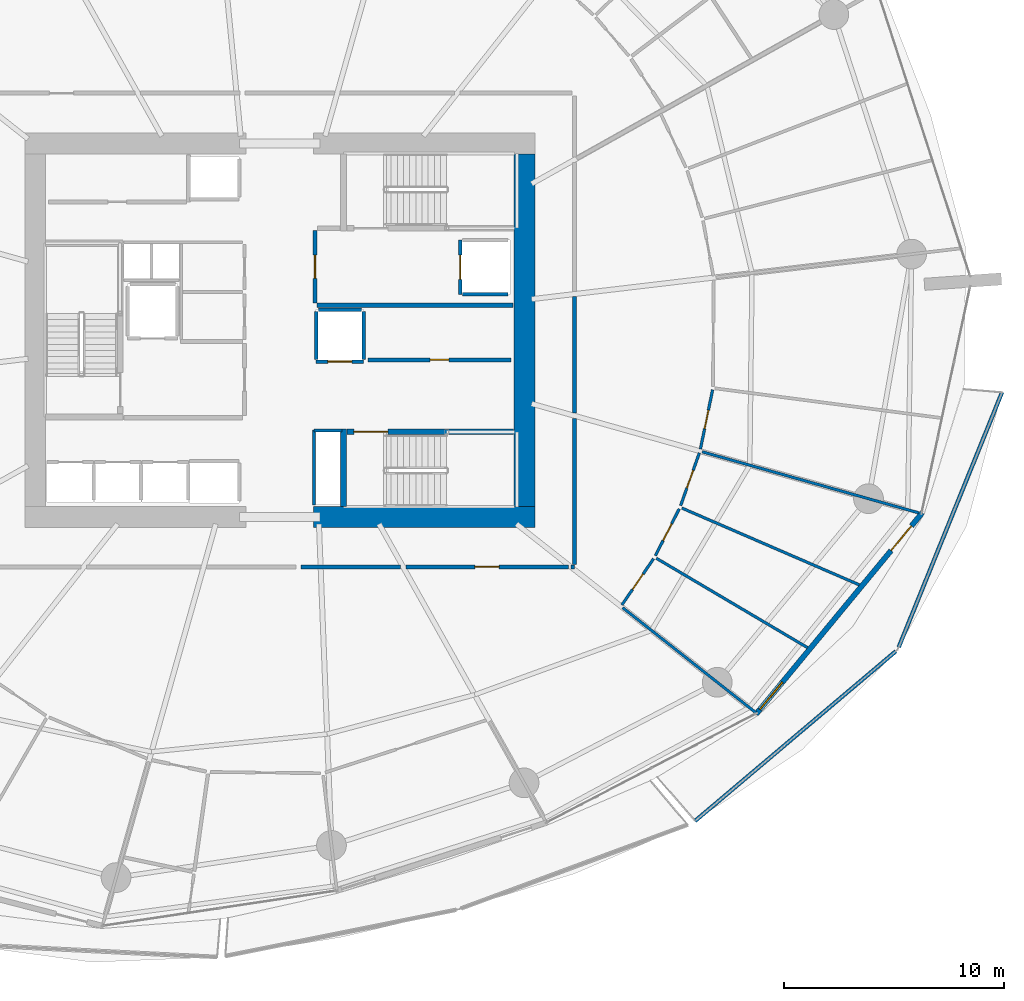
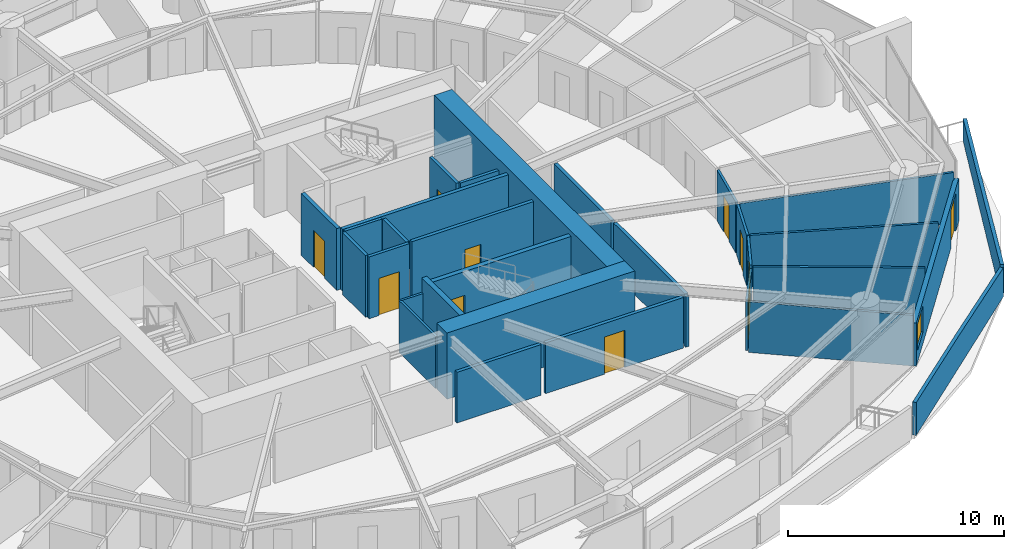
# One storey, part 21 of 31: 31 walls, 11 doors, 1 window, 12 openings.
"""IFC4 building model written with IfcOpenShell, lengths in metres."""

from ifc_helpers import new_model, si_unit, direction, frame, frame_2d, origin, place, context, subcontext, project, spatial, polyline, rectangle, outline, extrude, material, layer, layer_set, type_object, element, fill, save


model = new_model("IFC4")

# Units and contexts
model_context = context("Model", 3, precision=1e-05, world=origin(), true_north=direction((0.0, 1.0)))
body_context = subcontext(model_context, "Body", "Model", "MODEL_VIEW")
ifc_project = project(units=[si_unit("LENGTHUNIT", "METRE"), si_unit("AREAUNIT", "SQUARE_METRE"), si_unit("VOLUMEUNIT", "CUBIC_METRE"), si_unit("PLANEANGLEUNIT", "RADIAN"), si_unit("MASSUNIT", "GRAM", prefix="KILO")], contexts=[model_context])

# Site, building, storey
site_placement = place(None, origin())
site = spatial("IfcSite", under=ifc_project, at=site_placement, CompositionType="ELEMENT")
building_placement = place(site_placement, origin())
building = spatial("IfcBuilding", under=site, at=building_placement, Name="Kazma Halo Residences", CompositionType="ELEMENT")
storey_placement = place(building_placement, frame((0.0, 0.0, 37.64990234375)))
storey = spatial("IfcBuildingStorey", under=building, at=storey_placement, Name="L08", CompositionType="ELEMENT", Elevation=37.64990234375)

# Walls
ifc_material_1 = material(Name="White Concrete C50/60 Balustrade", Category="concrete")
ifc_layer_1 = layer(ifc_material_1, 0.179931640625)
ifc_layer_set_1 = layer_set([ifc_layer_1], Name="White Concrete C50/60 Balustrade")
wall_type_1 = type_object("IfcWallType", Name="WL-BAL-WAVE-180", PredefinedType="PARAPET", material=ifc_layer_set_1)
wall_1_placement = place(storey_placement, frame((67.266845703125, 19.718505859375, 0.0), z_axis=(0.0, 0.0, 1.0), x_axis=(0.763702211542, 0.645568688898, 0.0)))
element("IfcWall", 1, at=wall_1_placement, inside=storey, type_object=wall_type_1, Name="L08 white wave balustrade wall SE.1", PredefinedType="PARAPET", context=body_context, shape_type="SweptSolid", body=[
    extrude(outline(polyline([(0.0, 0.0), (11.9267578125, 0.0), (11.9267578125, 1.632080078125), (5.96337890625, 1.798095703125), (0.0, 1.860107421875), (0.0, 0.0)])), frame((0.0, 0.08984375, 0.0), z_axis=(0.0, -1.0, 0.0), x_axis=(1.0, 0.0, 0.0)), (0.0, 0.0, 1.0), 0.179931640625),
])
wall_2_placement = place(storey_placement, frame((76.511962890625, 27.606689453125, 0.0), z_axis=(0.0, 0.0, 1.0), x_axis=(0.375733690411, 0.926727680546, 0.0)))
element("IfcWall", 2, at=wall_2_placement, inside=storey, type_object=wall_type_1, Name="L08 white wave balustrade wall SE.2", PredefinedType="PARAPET", context=body_context, shape_type="SweptSolid", body=[
    extrude(outline(polyline([(0.0, 0.0), (12.4912109375, 0.0), (12.4912109375, 1.233154296875), (6.24560546875, 1.418212890625), (0.0, 1.632080078125), (0.0, 0.0)])), frame((0.0, 0.08984375, 0.0), z_axis=(0.0, -1.0, 0.0), x_axis=(1.0, 0.0, 0.0)), (0.0, 0.0, 1.0), 0.179931640625),
])
ifc_material_2 = material(Name="Concrete C80/95", Category="concrete")
ifc_layer_2 = layer(ifc_material_2, 0.949951171875)
ifc_layer_set_2 = layer_set([ifc_layer_2], Name="Concrete C80/95")
wall_type_2 = type_object("IfcWallType", Name="WL-CORE-950", PredefinedType="SHEAR", material=ifc_layer_set_2)
wall_3_placement = place(storey_placement, frame((49.949951171875, 33.52490234375, 0.0), z_axis=(0.0, 0.0, 1.0), x_axis=(1.0, 0.0, 0.0)))
element("IfcWall", 3, at=wall_3_placement, inside=storey, type_object=wall_type_2, Name="L08 central core shear wall SE", PredefinedType="SHEAR", context=body_context, shape_type="SweptSolid", body=[
    extrude(rectangle(XDim=10.050048828125, YDim=0.949951171875, at=frame_2d((5.02490234375, 0.0))), origin(), (0.0, 0.0, 1.0), 3.75),
])
wall_4_placement = place(storey_placement, frame((59.52490234375, 34.0, 0.0), z_axis=(0.0, 0.0, 1.0), x_axis=(0.0, 1.0, 0.0)))
element("IfcWall", 4, at=wall_4_placement, inside=storey, type_object=wall_type_2, Name="L08 central core shear wall E", PredefinedType="SHEAR", context=body_context, shape_type="SweptSolid", body=[
    extrude(rectangle(XDim=16.0, YDim=0.949951171875, at=frame_2d((8.0, 0.0))), origin(), (0.0, 0.0, 1.0), 3.75),
])
ifc_material_3 = material(Name="Concrete C60/75", Category="concrete")
ifc_layer_3 = layer(ifc_material_3, 0.280029296875)
ifc_layer_set_3 = layer_set([ifc_layer_3], Name="Concrete C60/75")
wall_type_3 = type_object("IfcWallType", Name="WL-CORE-ST-280", PredefinedType="SHEAR", material=ifc_layer_set_3)
wall_5_placement = place(storey_placement, frame((51.31005859375, 34.0, 0.0), z_axis=(0.0, 0.0, 1.0), x_axis=(0.0, 1.0, 0.0)))
element("IfcWall", 5, at=wall_5_placement, inside=storey, type_object=wall_type_3, Name="L08 stairwell bearing wall ST03-W", PredefinedType="SHEAR", context=body_context, shape_type="SweptSolid", body=[
    extrude(rectangle(XDim=3.5, YDim=0.280029296875, at=frame_2d((1.75, 0.0))), origin(), (0.0, 0.0, 1.0), 3.75),
])

# Wall, opening, door
ifc_material_4 = material(Name="Acoustic Twin-Stud Gypsum")
ifc_layer_4 = layer(ifc_material_4, 0.179931640625)
ifc_layer_set_4 = layer_set([ifc_layer_4], Name="Acoustic Twin-Stud Gypsum")
wall_type_4 = type_object("IfcWallType", Name="WL-DEM-180", PredefinedType="PARTITIONING", material=ifc_layer_set_4)
wall_6_placement = place(storey_placement, frame((54.140380859375, 31.25, 0.0), z_axis=(0.0, 0.0, 1.0), x_axis=(1.0, 0.0, 0.0)))
wall_6 = element("IfcWall", 6, at=wall_6_placement, inside=storey, type_object=wall_type_4, Name="L08 Apartment 2 entrance corridor wall", PredefinedType="PARTITIONING", context=body_context, shape_type="SweptSolid", body=[
    extrude(rectangle(XDim=7.3759765625, YDim=0.179931640625, at=frame_2d((3.68798828125, 0.0))), origin(), (0.0, 0.0, 1.0), 2.8671875),
])
opening_1_placement = place(wall_6_placement, frame((3.137939453125, 0.0, 0.0)))
opening_1 = element("IfcOpeningElement", 7, at=opening_1_placement, cuts=wall_6, Name="Opening DA-1100", PredefinedType="OPENING", context=body_context, shape_type="SweptSolid", body=[
    extrude(rectangle(XDim=1.10009765625, YDim=2.10009765625, at=frame_2d((0.550048828125, 1.050048828125))), frame((0.0, 0.099853515625, 0.0), z_axis=(0.0, -1.0, 0.0), x_axis=(1.0, 0.0, 0.0)), (0.0, 0.0, 1.0), 0.199951171875),
])
ifc_material_5 = material(Name="Acoustic Walnut Fire Leaf")
door_type_1 = type_object("IfcDoorType", Name="DR-FD60-1100", OperationType="NOTDEFINED", PredefinedType="DOOR", material=ifc_material_5)
door_1_placement = place(opening_1_placement, origin())
door_1 = element("IfcDoor", 8, at=door_1_placement, inside=storey, type_object=door_type_1, Name="L08 Apartment 2 entrance fire door", OperationType="SINGLE_SWING_LEFT", OverallHeight=2.10009765625, OverallWidth=1.10009765625, PredefinedType="DOOR", context=body_context, shape_type="SweptSolid", body=[
    extrude(rectangle(XDim=1.10009765625, YDim=2.10009765625, at=frame_2d((0.550048828125, 1.050048828125))), frame((0.0, 0.02490234375, 0.0), z_axis=(0.0, -1.0, 0.0), x_axis=(1.0, 0.0, 0.0)), (0.0, 0.0, 1.0), 0.050048828125),
])
fill(opening_1, door_1)

# Walls
wall_7_placement = place(storey_placement, frame((49.392333984375, 31.25, 0.0), z_axis=(0.0, 0.0, 1.0), x_axis=(1.0, 0.0, 0.0)))
element("IfcWall", 9, at=wall_7_placement, inside=storey, type_object=wall_type_4, Name="L08 Apartment 2 inner wall 11", PredefinedType="PARTITIONING", context=body_context, shape_type="SweptSolid", body=[
    extrude(rectangle(XDim=4.508056640625, YDim=0.179931640625, at=frame_2d((2.25390625, 0.0))), origin(), (0.0, 0.0, 1.0), 2.8671875),
])
wall_8_placement = place(storey_placement, frame((61.63623046875, 31.25, 0.0), z_axis=(0.0, 0.0, 1.0), x_axis=(1.0, 0.0, 0.0)))
element("IfcWall", 10, at=wall_8_placement, inside=storey, type_object=wall_type_4, Name="L08 Apartment 2 inner wall 13", PredefinedType="PARTITIONING", context=body_context, shape_type="SweptSolid", body=[
    extrude(rectangle(XDim=0.163818359375, YDim=0.179931640625, at=frame_2d((0.08203125, 0.0))), origin(), (0.0, 0.0, 1.0), 2.8671875),
])
wall_9_placement = place(storey_placement, frame((61.800048828125, 31.3701171875, 0.0), z_axis=(0.0, 0.0, 1.0), x_axis=(0.0, 1.0, 0.0)))
element("IfcWall", 11, at=wall_9_placement, inside=storey, type_object=wall_type_4, Name="L08 Apartment 2 inner wall 13", PredefinedType="PARTITIONING", context=body_context, shape_type="SweptSolid", body=[
    extrude(rectangle(XDim=6.617919921875, YDim=0.179931640625, at=frame_2d((3.30908203125, 0.0))), origin(), (0.0, 0.0, 1.0), 2.8671875),
])
wall_10_placement = place(storey_placement, frame((61.800048828125, 38.22802734375, 0.0), z_axis=(0.0, 0.0, 1.0), x_axis=(0.0, 1.0, 0.0)))
element("IfcWall", 12, at=wall_10_placement, inside=storey, type_object=wall_type_4, Name="L08 Apartment 2 inner wall 14", PredefinedType="PARTITIONING", context=body_context, shape_type="SweptSolid", body=[
    extrude(rectangle(XDim=5.28515625, YDim=0.179931640625, at=frame_2d((2.642578125, 0.0))), origin(), (0.0, 0.0, 1.0), 2.8671875),
])

# Wall, openings, door, window
ifc_material_6 = material(Name="Insulated Pale-Metal Composite Wall")
ifc_layer_5 = layer(ifc_material_6, 0.239990234375)
ifc_layer_set_5 = layer_set([ifc_layer_5], Name="Insulated Pale-Metal Composite Wall")
wall_type_5 = type_object("IfcWallType", Name="WL-EXT-HOST-240", PredefinedType="SOLIDWALL", material=ifc_layer_set_5)
wall_11_placement = place(storey_placement, frame((70.033203125, 24.566650390625, 0.0), z_axis=(0.0, 0.0, 1.0), x_axis=(0.636674332663, 0.771132799281, 0.0)))
wall_11 = element("IfcWall", 13, at=wall_11_placement, inside=storey, type_object=wall_type_5, Name="L08 exterior terrace-access wall B14", PredefinedType="SOLIDWALL", context=body_context, shape_type="SweptSolid", body=[
    extrude(rectangle(XDim=11.851318359375, YDim=0.239990234375, at=frame_2d((5.92578125, 0.0))), origin(), (0.0, 0.0, 1.0), 2.4501953125),
])
opening_2_placement = place(wall_11_placement, frame((9.631103515625, 0.0, 0.0)))
opening_2 = element("IfcOpeningElement", 14, at=opening_2_placement, cuts=wall_11, Name="Opening DTR-1600", PredefinedType="OPENING", context=body_context, shape_type="SweptSolid", body=[
    extrude(rectangle(XDim=1.449951171875, YDim=2.14990234375, at=frame_2d((0.72509765625, 1.074951171875))), frame((0.0, 0.1298828125, 0.0), z_axis=(0.0, -1.0, 0.0), x_axis=(1.0, 0.0, 0.0)), (0.0, 0.0, 1.0), 0.260009765625),
])
opening_3_placement = place(wall_11_placement, frame((0.280029296875, 0.0, 0.64990234375)))
opening_3 = element("IfcOpeningElement", 15, at=opening_3_placement, cuts=wall_11, Name="Opening W-1800", PredefinedType="OPENING", context=body_context, shape_type="SweptSolid", body=[
    extrude(rectangle(XDim=1.60009765625, YDim=1.5, at=frame_2d((0.800048828125, 0.75))), frame((0.0, 0.1298828125, 0.0), z_axis=(0.0, -1.0, 0.0), x_axis=(1.0, 0.0, 0.0)), (0.0, 0.0, 1.0), 0.260009765625),
])
ifc_material_7 = material(Name="Aluminium AW-6063 T6 Double-Glazed Terrace Door", Category="aluminium")
door_type_2 = type_object("IfcDoorType", Name="DR-EXT-TERR-1600", OperationType="NOTDEFINED", PredefinedType="DOOR", material=ifc_material_7)
door_2_placement = place(opening_2_placement, origin())
door_2 = element("IfcDoor", 16, at=door_2_placement, inside=storey, type_object=door_type_2, Name="L08 B14 balcony terrace door", OperationType="DOUBLE_DOOR_SLIDING", OverallHeight=2.14990234375, OverallWidth=1.449951171875, PredefinedType="DOOR", context=body_context, shape_type="SweptSolid", body=[
    extrude(rectangle(XDim=1.449951171875, YDim=2.14990234375, at=frame_2d((0.72509765625, 1.074951171875))), frame((0.0, 0.02490234375, 0.0), z_axis=(0.0, -1.0, 0.0), x_axis=(1.0, 0.0, 0.0)), (0.0, 0.0, 1.0), 0.050048828125),
])
fill(opening_2, door_2)
ifc_material_8 = material(Name="Clear Triple-Silver Low-E Glass in Aluminium AW-6063 T6 Frame", Category="aluminium")
window_type = type_object("IfcWindowType", Name="WIN-RES-1800", PartitioningType="DOUBLE_PANEL_VERTICAL", PredefinedType="WINDOW", material=ifc_material_8)
window_placement = place(opening_3_placement, origin())
window = element("IfcWindow", 17, at=window_placement, inside=storey, type_object=window_type, Name="L08 B14 apartment window", OverallHeight=1.5, OverallWidth=1.60009765625, PartitioningType="SINGLE_PANEL", PredefinedType="WINDOW", context=body_context, shape_type="SweptSolid", body=[
    extrude(rectangle(XDim=1.60009765625, YDim=1.5, at=frame_2d((0.800048828125, 0.75))), frame((0.0, 0.030029296875, 0.0), z_axis=(0.0, -1.0, 0.0), x_axis=(1.0, 0.0, 0.0)), (0.0, 0.0, 1.0), 0.06005859375),
])
fill(opening_3, window)

# Wall, opening, door
ifc_material_9 = material(Name="Fire-Rated Blockwork Masonry", Category="masonry")
ifc_layer_6 = layer(ifc_material_9, 0.199951171875)
ifc_layer_set_6 = layer_set([ifc_layer_6], Name="Fire-Rated Blockwork Masonry")
wall_type_6 = type_object("IfcWallType", Name="WL-FLB-200", PredefinedType="PARTITIONING", material=ifc_layer_set_6)
wall_12_placement = place(storey_placement, frame((56.6201171875, 46.080078125, 0.0), z_axis=(0.0, 0.0, 1.0), x_axis=(0.0, -1.0, 0.0)))
wall_12 = element("IfcWall", 18, at=wall_12_placement, inside=storey, type_object=wall_type_6, Name="L08 lift shaft FL-02 front wall", PredefinedType="PARTITIONING", context=body_context, shape_type="SweptSolid", body=[
    extrude(rectangle(XDim=2.4599609375, YDim=0.159912109375, at=frame_2d((1.22998046875, 0.0))), origin(), (0.0, 0.0, 1.0), 3.5),
])
opening_4_placement = place(wall_12_placement, frame((0.679931640625, 0.0, 0.0)))
opening_4 = element("IfcOpeningElement", 19, at=opening_4_placement, cuts=wall_12, Name="Opening LD-FL-02", PredefinedType="OPENING", context=body_context, shape_type="SweptSolid", body=[
    extrude(rectangle(XDim=1.10009765625, YDim=2.10009765625, at=frame_2d((0.550048828125, 1.050048828125))), frame((0.0, 0.08984375, 0.0), z_axis=(0.0, -1.0, 0.0), x_axis=(1.0, 0.0, 0.0)), (0.0, 0.0, 1.0), 0.179931640625),
])
ifc_material_10 = material(Name="Stainless Steel Fire-Rated", Category="steel")
door_type_3 = type_object("IfcDoorType", Name="DR-LIFT-SLD-1100", OperationType="DOUBLE_DOOR_SLIDING", PredefinedType="DOOR", material=ifc_material_10)
door_3_placement = place(opening_4_placement, origin())
door_3 = element("IfcDoor", 20, at=door_3_placement, inside=storey, type_object=door_type_3, Name="L08 lift FL-02 sliding landing door", OperationType="DOUBLE_DOOR_SLIDING", OverallHeight=2.10009765625, OverallWidth=1.10009765625, PredefinedType="DOOR", context=body_context, shape_type="SweptSolid", body=[
    extrude(rectangle(XDim=1.10009765625, YDim=2.10009765625, at=frame_2d((0.550048828125, 1.050048828125))), frame((0.0, 0.02490234375, 0.0), z_axis=(0.0, -1.0, 0.0), x_axis=(1.0, 0.0, 0.0)), (0.0, 0.0, 1.0), 0.050048828125),
])
fill(opening_4, door_3)

# Wall
wall_13_placement = place(storey_placement, frame((56.719970703125, 43.6201171875, 0.0), z_axis=(0.0, 0.0, 1.0), x_axis=(1.0, 0.0, 0.0)))
element("IfcWall", 21, at=wall_13_placement, inside=storey, type_object=wall_type_6, Name="L08 lift shaft FL-02 side wall S", PredefinedType="PARTITIONING", context=body_context, shape_type="SweptSolid", body=[
    extrude(rectangle(XDim=2.06005859375, YDim=0.159912109375, at=frame_2d((1.030029296875, 0.0))), origin(), (0.0, 0.0, 1.0), 3.5),
])

# Wall, opening, door
wall_14_placement = place(storey_placement, frame((52.22998046875, 40.570068359375, 0.0), z_axis=(0.0, 0.0, 1.0), x_axis=(-1.0, 0.0, 0.0)))
wall_14 = element("IfcWall", 22, at=wall_14_placement, inside=storey, type_object=wall_type_6, Name="L08 lift shaft SV-01 front wall", PredefinedType="PARTITIONING", context=body_context, shape_type="SweptSolid", body=[
    extrude(rectangle(XDim=2.159912109375, YDim=0.159912109375, at=frame_2d((1.080078125, 0.0))), origin(), (0.0, 0.0, 1.0), 3.5),
])
opening_5_placement = place(wall_14_placement, frame((0.530029296875, 0.0, 0.0)))
opening_5 = element("IfcOpeningElement", 23, at=opening_5_placement, cuts=wall_14, Name="Opening LD-SV-01", PredefinedType="OPENING", context=body_context, shape_type="SweptSolid", body=[
    extrude(rectangle(XDim=1.10009765625, YDim=2.10009765625, at=frame_2d((0.550048828125, 1.050048828125))), frame((0.0, 0.08984375, 0.0), z_axis=(0.0, -1.0, 0.0), x_axis=(1.0, 0.0, 0.0)), (0.0, 0.0, 1.0), 0.179931640625),
])
door_4_placement = place(opening_5_placement, origin())
door_4 = element("IfcDoor", 24, at=door_4_placement, inside=storey, type_object=door_type_3, Name="L08 lift SV-01 sliding landing door", OperationType="DOUBLE_DOOR_SLIDING", OverallHeight=2.10009765625, OverallWidth=1.10009765625, PredefinedType="DOOR", context=body_context, shape_type="SweptSolid", body=[
    extrude(rectangle(XDim=1.10009765625, YDim=2.10009765625, at=frame_2d((0.550048828125, 1.050048828125))), frame((0.0, 0.02490234375, 0.0), z_axis=(0.0, -1.0, 0.0), x_axis=(1.0, 0.0, 0.0)), (0.0, 0.0, 1.0), 0.050048828125),
])
fill(opening_5, door_4)

# Walls
for number, where, z_axis, x_axis, name in (
    (25, (52.22998046875, 40.669921875, 0.0), (0.0, 0.0, 1.0), (0.0, 1.0, 0.0), "L08 lift shaft SV-01 side wall E"),
    (26, (50.070068359375, 40.669921875, 0.0), (0.0, 0.0, 1.0), (0.0, 1.0, 0.0), "L08 lift shaft SV-01 side wall W"),
):
    element("IfcWall", number, at=place(storey_placement, frame(where, z_axis=z_axis, x_axis=x_axis)), inside=storey, type_object=wall_type_6, Name=name, PredefinedType="PARTITIONING", context=body_context, shape_type="SweptSolid", body=[
        extrude(rectangle(XDim=2.16015625, YDim=0.159912109375, at=frame_2d((1.080078125, 0.0))), origin(), (0.0, 0.0, 1.0), 3.5),
    ])
wall_15_placement = place(storey_placement, frame((50.169921875, 42.929931640625, 0.0), z_axis=(0.0, 0.0, 1.0), x_axis=(1.0, 0.0, 0.0)))
element("IfcWall", 27, at=wall_15_placement, inside=storey, type_object=wall_type_6, Name="L08 lift shaft SV-01 side wall N", PredefinedType="PARTITIONING", context=body_context, shape_type="SweptSolid", body=[
    extrude(rectangle(XDim=1.9599609375, YDim=0.159912109375, at=frame_2d((0.97998046875, 0.0))), origin(), (0.0, 0.0, 1.0), 3.5),
])

# Wall, opening, door
wall_16_placement = place(storey_placement, frame((52.419921875, 40.64990234375, 0.0), z_axis=(0.0, 0.0, 1.0), x_axis=(1.0, 0.0, 0.0)))
wall_16 = element("IfcWall", 28, at=wall_16_placement, inside=storey, type_object=wall_type_6, Name="L08 core east reserve wall", PredefinedType="PARTITIONING", context=body_context, shape_type="SweptSolid", body=[
    extrude(rectangle(XDim=6.5, YDim=0.179931640625, at=frame_2d((3.25, 0.0))), origin(), (0.0, 0.0, 1.0), 3.5),
])
opening_6_placement = place(wall_16_placement, frame((2.824951171875, 0.0, 0.0)))
opening_6 = element("IfcOpeningElement", 29, at=opening_6_placement, cuts=wall_16, Name="Opening DS-850", PredefinedType="OPENING", context=body_context, shape_type="SweptSolid", body=[
    extrude(rectangle(XDim=0.85009765625, YDim=2.06005859375, at=frame_2d((0.425048828125, 1.030029296875))), frame((0.0, 0.099853515625, 0.0), z_axis=(0.0, -1.0, 0.0), x_axis=(1.0, 0.0, 0.0)), (0.0, 0.0, 1.0), 0.199951171875),
])
ifc_material_11 = material(Name="Painted Steel Access Leaf", Category="steel")
door_type_4 = type_object("IfcDoorType", Name="DR-SVC-850", OperationType="NOTDEFINED", PredefinedType="DOOR", material=ifc_material_11)
door_5_placement = place(opening_6_placement, origin())
door_5 = element("IfcDoor", 30, at=door_5_placement, inside=storey, type_object=door_type_4, Name="L08 core east reserve door", OperationType="SINGLE_SWING_LEFT", OverallHeight=2.06005859375, OverallWidth=0.85009765625, PredefinedType="DOOR", context=body_context, shape_type="SweptSolid", body=[
    extrude(rectangle(XDim=0.85009765625, YDim=2.06005859375, at=frame_2d((0.425048828125, 1.030029296875))), frame((0.0, 0.02490234375, 0.0), z_axis=(0.0, -1.0, 0.0), x_axis=(1.0, 0.0, 0.0)), (0.0, 0.0, 1.0), 0.050048828125),
])
fill(opening_6, door_5)

# Wall
wall_17_placement = place(storey_placement, frame((50.1201171875, 43.1201171875, 0.0), z_axis=(0.0, 0.0, 1.0), x_axis=(1.0, 0.0, 0.0)))
element("IfcWall", 31, at=wall_17_placement, inside=storey, type_object=wall_type_6, Name="L08 east firefighting lobby south smoke wall", PredefinedType="PARTITIONING", context=body_context, shape_type="SweptSolid", body=[
    extrude(rectangle(XDim=8.8798828125, YDim=0.199951171875, at=frame_2d((4.43994140625, 0.0))), origin(), (0.0, 0.0, 1.0), 3.5),
])

# Wall, opening, door
wall_18_placement = place(storey_placement, frame((50.02001953125, 43.219970703125, 0.0), z_axis=(0.0, 0.0, 1.0), x_axis=(0.0, 1.0, 0.0)))
wall_18 = element("IfcWall", 32, at=wall_18_placement, inside=storey, type_object=wall_type_6, Name="L08 east firefighting lobby smoke wall", PredefinedType="PARTITIONING", context=body_context, shape_type="SweptSolid", body=[
    extrude(rectangle(XDim=3.300048828125, YDim=0.199951171875, at=frame_2d((1.64990234375, 0.0))), origin(), (0.0, 0.0, 1.0), 3.5),
])
opening_7_placement = place(wall_18_placement, frame((1.125, 0.0, 0.0)))
opening_7 = element("IfcOpeningElement", 33, at=opening_7_placement, cuts=wall_18, Name="Opening D-FLE", PredefinedType="OPENING", context=body_context, shape_type="SweptSolid", body=[
    extrude(rectangle(XDim=1.050048828125, YDim=2.10009765625, at=frame_2d((0.52490234375, 1.050048828125))), frame((0.0, 0.10986328125, 0.0), z_axis=(0.0, -1.0, 0.0), x_axis=(1.0, 0.0, 0.0)), (0.0, 0.0, 1.0), 0.219970703125),
])
ifc_material_12 = material(Name="Fire-Rated Steel Leaf", Category="steel")
door_type_5 = type_object("IfcDoorType", Name="DR-FD90-1050", OperationType="NOTDEFINED", PredefinedType="DOOR", material=ifc_material_12)
door_6_placement = place(opening_7_placement, origin())
door_6 = element("IfcDoor", 34, at=door_6_placement, inside=storey, type_object=door_type_5, Name="L08 east firefighting lobby smoke door", OperationType="SINGLE_SWING_RIGHT", OverallHeight=2.10009765625, OverallWidth=1.050048828125, PredefinedType="DOOR", context=body_context, shape_type="SweptSolid", body=[
    extrude(rectangle(XDim=1.050048828125, YDim=2.10009765625, at=frame_2d((0.52490234375, 1.050048828125))), frame((0.0, 0.02490234375, 0.0), z_axis=(0.0, -1.0, 0.0), x_axis=(1.0, 0.0, 0.0)), (0.0, 0.0, 1.0), 0.050048828125),
])
fill(opening_7, door_6)

# Walls
ifc_material_13 = material(Name="Gypsum Plasterboard Partition")
ifc_layer_7 = layer(ifc_material_13, 0.125)
ifc_layer_set_7 = layer_set([ifc_layer_7], Name="Gypsum Plasterboard Partition")
wall_type_7 = type_object("IfcWallType", Name="WL-PART-125", PredefinedType="PARTITIONING", material=ifc_layer_set_7)
wall_19_placement = place(storey_placement, frame((49.97998046875, 34.06005859375, 0.0), z_axis=(0.0, 0.0, 1.0), x_axis=(0.0, 1.0, 0.0)))
element("IfcWall", 35, at=wall_19_placement, inside=storey, type_object=wall_type_7, Name="L08 standpipe riser wall", PredefinedType="PARTITIONING", context=body_context, shape_type="SweptSolid", body=[
    extrude(rectangle(XDim=3.39990234375, YDim=0.125, at=frame_2d((1.699951171875, 0.0))), origin(), (0.0, 0.0, 1.0), 2.940185546875),
])
wall_20_placement = place(storey_placement, frame((49.97998046875, 37.43994140625, 0.0), z_axis=(0.0, 0.0, 1.0), x_axis=(1.0, 0.0, 0.0)))
element("IfcWall", 36, at=wall_20_placement, inside=storey, type_object=wall_type_7, Name="L08 standpipe riser north wall", PredefinedType="PARTITIONING", context=body_context, shape_type="SweptSolid", body=[
    extrude(rectangle(XDim=1.260009765625, YDim=0.125, at=frame_2d((0.6298828125, 0.0))), origin(), (0.0, 0.0, 1.0), 2.940185546875),
])
wall_21_placement = place(storey_placement, frame((63.9833984375, 29.399658203125, 0.0), z_axis=(0.0, 0.0, 1.0), x_axis=(0.785322984339, -0.619086270457, 0.0)))
element("IfcWall", 37, at=wall_21_placement, inside=storey, type_object=wall_type_7, Name="L08 Apartment 2 radial partition 13", PredefinedType="PARTITIONING", context=body_context, shape_type="SweptSolid", body=[
    extrude(rectangle(XDim=7.71923828125, YDim=0.125, at=frame_2d((3.859619140625, 0.0))), origin(), (0.0, 0.0, 1.0), 2.8671875),
])
wall_22_placement = place(storey_placement, frame((65.510009765625, 31.64453125, 0.0), z_axis=(0.0, 0.0, 1.0), x_axis=(0.86074163886, -0.509042072065, 0.0)))
element("IfcWall", 38, at=wall_22_placement, inside=storey, type_object=wall_type_7, Name="L08 Apartment 2 bay wall 1 13", PredefinedType="PARTITIONING", context=body_context, shape_type="SweptSolid", body=[
    extrude(rectangle(XDim=7.9677734375, YDim=0.125, at=frame_2d((3.98388671875, 0.0))), origin(), (0.0, 0.0, 1.0), 2.940185546875),
])
wall_23_placement = place(storey_placement, frame((66.669921875, 33.9208984375, 0.0), z_axis=(0.0, 0.0, 1.0), x_axis=(0.917747697885, -0.397163899451, 0.0)))
element("IfcWall", 39, at=wall_23_placement, inside=storey, type_object=wall_type_7, Name="L08 Apartment 2 bay wall 2 13", PredefinedType="PARTITIONING", context=body_context, shape_type="SweptSolid", body=[
    extrude(rectangle(XDim=8.77490234375, YDim=0.125, at=frame_2d((4.387451171875, 0.0))), origin(), (0.0, 0.0, 1.0), 2.940185546875),
])

# Wall, opening, door
wall_24_placement = place(storey_placement, frame((63.9501953125, 29.527587890625, 0.0), z_axis=(0.0, 0.0, 1.0), x_axis=(0.565358509176, 0.824845292223, 0.0)))
wall_24 = element("IfcWall", 40, at=wall_24_placement, inside=storey, type_object=wall_type_7, Name="L08 Apartment 2 Corner Bedroom hall wall", PredefinedType="PARTITIONING", context=body_context, shape_type="SweptSolid", body=[
    extrude(rectangle(XDim=2.542236328125, YDim=0.125, at=frame_2d((1.27099609375, 0.0))), origin(), (0.0, 0.0, 1.0), 2.8671875),
])
opening_8_placement = place(wall_24_placement, frame((0.84619140625, 0.0, 0.0)))
opening_8 = element("IfcOpeningElement", 41, at=opening_8_placement, cuts=wall_24, Name="Opening DB-900", PredefinedType="OPENING", context=body_context, shape_type="SweptSolid", body=[
    extrude(rectangle(XDim=0.85009765625, YDim=2.06005859375, at=frame_2d((0.425048828125, 1.030029296875))), frame((0.0, 0.072509765625, 0.0), z_axis=(0.0, -1.0, 0.0), x_axis=(1.0, 0.0, 0.0)), (0.0, 0.0, 1.0), 0.14501953125),
])
ifc_material_14 = material(Name="Moisture-Sealed Timber Leaf", Category="wood")
door_type_6 = type_object("IfcDoorType", Name="DR-BTH-900", OperationType="NOTDEFINED", PredefinedType="DOOR", material=ifc_material_14)
door_7_placement = place(opening_8_placement, origin())
door_7 = element("IfcDoor", 42, at=door_7_placement, inside=storey, type_object=door_type_6, Name="L08 Apartment 2 Corner Bedroom door", OperationType="SINGLE_SWING_LEFT", OverallHeight=2.06005859375, OverallWidth=0.85009765625, PredefinedType="DOOR", context=body_context, shape_type="SweptSolid", body=[
    extrude(rectangle(XDim=0.85009765625, YDim=2.06005859375, at=frame_2d((0.425048828125, 1.030029296875))), frame((0.0, 0.02490234375, 0.0), z_axis=(0.0, -1.0, 0.0), x_axis=(1.0, 0.0, 0.0)), (0.0, 0.0, 1.0), 0.050048828125),
])
fill(opening_8, door_7)

wall_25_placement = place(storey_placement, frame((65.468994140625, 31.76171875, 0.0), z_axis=(0.0, 0.0, 1.0), x_axis=(0.45400250644, 0.891000406367, 0.0)))
wall_25 = element("IfcWall", 43, at=wall_25_placement, inside=storey, type_object=wall_type_7, Name="L08 Apartment 2 Garden Dressing Wardrobe hall wall", PredefinedType="PARTITIONING", context=body_context, shape_type="SweptSolid", body=[
    extrude(rectangle(XDim=2.38330078125, YDim=0.125, at=frame_2d((1.191650390625, 0.0))), origin(), (0.0, 0.0, 1.0), 2.940185546875),
])
opening_9_placement = place(wall_25_placement, frame((0.7666015625, 0.0, 0.0)))
opening_9 = element("IfcOpeningElement", 44, at=opening_9_placement, cuts=wall_25, Name="Opening DB-900", PredefinedType="OPENING", context=body_context, shape_type="SweptSolid", body=[
    extrude(rectangle(XDim=0.85009765625, YDim=2.06005859375, at=frame_2d((0.425048828125, 1.030029296875))), frame((0.0, 0.072509765625, 0.0), z_axis=(0.0, -1.0, 0.0), x_axis=(1.0, 0.0, 0.0)), (0.0, 0.0, 1.0), 0.14501953125),
])
door_8_placement = place(opening_9_placement, origin())
door_8 = element("IfcDoor", 45, at=door_8_placement, inside=storey, type_object=door_type_6, Name="L08 Apartment 2 Garden Dressing Wardrobe door", OperationType="SINGLE_SWING_RIGHT", OverallHeight=2.06005859375, OverallWidth=0.85009765625, PredefinedType="DOOR", context=body_context, shape_type="SweptSolid", body=[
    extrude(rectangle(XDim=0.85009765625, YDim=2.06005859375, at=frame_2d((0.425048828125, 1.030029296875))), frame((0.0, 0.02490234375, 0.0), z_axis=(0.0, -1.0, 0.0), x_axis=(1.0, 0.0, 0.0)), (0.0, 0.0, 1.0), 0.050048828125),
])
fill(opening_9, door_8)

wall_26_placement = place(storey_placement, frame((66.614013671875, 34.031982421875, 0.0), z_axis=(0.0, 0.0, 1.0), x_axis=(0.335094930465, 0.942184370268, 0.0)))
wall_26 = element("IfcWall", 46, at=wall_26_placement, inside=storey, type_object=wall_type_7, Name="L08 Apartment 2 Sky Bedroom hall wall", PredefinedType="PARTITIONING", context=body_context, shape_type="SweptSolid", body=[
    extrude(rectangle(XDim=2.5419921875, YDim=0.125, at=frame_2d((1.27099609375, 0.0))), origin(), (0.0, 0.0, 1.0), 2.8671875),
])
opening_10_placement = place(wall_26_placement, frame((0.845947265625, 0.0, 0.0)))
opening_10 = element("IfcOpeningElement", 47, at=opening_10_placement, cuts=wall_26, Name="Opening DB-900", PredefinedType="OPENING", context=body_context, shape_type="SweptSolid", body=[
    extrude(rectangle(XDim=0.85009765625, YDim=2.06005859375, at=frame_2d((0.425048828125, 1.030029296875))), frame((0.0, 0.072509765625, 0.0), z_axis=(0.0, -1.0, 0.0), x_axis=(1.0, 0.0, 0.0)), (0.0, 0.0, 1.0), 0.14501953125),
])
door_9_placement = place(opening_10_placement, origin())
door_9 = element("IfcDoor", 48, at=door_9_placement, inside=storey, type_object=door_type_6, Name="L08 Apartment 2 Sky Bedroom door", OperationType="SINGLE_SWING_LEFT", OverallHeight=2.06005859375, OverallWidth=0.85009765625, PredefinedType="DOOR", context=body_context, shape_type="SweptSolid", body=[
    extrude(rectangle(XDim=0.85009765625, YDim=2.06005859375, at=frame_2d((0.425048828125, 1.030029296875))), frame((0.0, 0.02490234375, 0.0), z_axis=(0.0, -1.0, 0.0), x_axis=(1.0, 0.0, 0.0)), (0.0, 0.0, 1.0), 0.050048828125),
])
fill(opening_10, door_9)

# Wall
wall_27_placement = place(storey_placement, frame((67.5888671875, 36.475341796875, 0.0), z_axis=(0.0, 0.0, 1.0), x_axis=(0.962457516126, -0.271432366627, 0.0)))
element("IfcWall", 49, at=wall_27_placement, inside=storey, type_object=wall_type_7, Name="L08 Apartment 2 radial partition 14", PredefinedType="PARTITIONING", context=body_context, shape_type="SweptSolid", body=[
    extrude(rectangle(XDim=10.221435546875, YDim=0.125, at=frame_2d((5.11083984375, 0.0))), origin(), (0.0, 0.0, 1.0), 2.8671875),
])

# Wall, opening, door
wall_28_placement = place(storey_placement, frame((67.5126953125, 36.6005859375, 0.0), z_axis=(0.0, 0.0, 1.0), x_axis=(0.201246233374, 0.979540684991, 0.0)))
wall_28 = element("IfcWall", 50, at=wall_28_placement, inside=storey, type_object=wall_type_7, Name="L08 Apartment 2 Gulf Wine Pantry Store hall wall", PredefinedType="PARTITIONING", context=body_context, shape_type="SweptSolid", body=[
    extrude(rectangle(XDim=2.744140625, YDim=0.125, at=frame_2d((1.3720703125, 0.0))), origin(), (0.0, 0.0, 1.0), 2.8671875),
])
opening_11_placement = place(wall_28_placement, frame((0.947021484375, 0.0, 0.0)))
opening_11 = element("IfcOpeningElement", 51, at=opening_11_placement, cuts=wall_28, Name="Opening DB-900", PredefinedType="OPENING", context=body_context, shape_type="SweptSolid", body=[
    extrude(rectangle(XDim=0.85009765625, YDim=2.06005859375, at=frame_2d((0.425048828125, 1.030029296875))), frame((0.0, 0.072509765625, 0.0), z_axis=(0.0, -1.0, 0.0), x_axis=(1.0, 0.0, 0.0)), (0.0, 0.0, 1.0), 0.14501953125),
])
door_10_placement = place(opening_11_placement, origin())
door_10 = element("IfcDoor", 52, at=door_10_placement, inside=storey, type_object=door_type_6, Name="L08 Apartment 2 Gulf Wine Pantry Store door", OperationType="SINGLE_SWING_LEFT", OverallHeight=2.06005859375, OverallWidth=0.85009765625, PredefinedType="DOOR", context=body_context, shape_type="SweptSolid", body=[
    extrude(rectangle(XDim=0.85009765625, YDim=2.06005859375, at=frame_2d((0.425048828125, 1.030029296875))), frame((0.0, 0.02490234375, 0.0), z_axis=(0.0, -1.0, 0.0), x_axis=(1.0, 0.0, 0.0)), (0.0, 0.0, 1.0), 0.050048828125),
])
fill(opening_11, door_10)

ifc_material_15 = material(Name="Concrete C50/60", Category="concrete")
ifc_layer_8 = layer(ifc_material_15, 0.25)
ifc_layer_set_8 = layer_set([ifc_layer_8], Name="Concrete C50/60")
wall_type_8 = type_object("IfcWallType", Name="WL-SHF-250", PredefinedType="SOLIDWALL", material=ifc_layer_set_8)
wall_29_placement = place(storey_placement, frame((51.47998046875, 37.3798828125, 0.0), z_axis=(0.0, 0.0, 1.0), x_axis=(1.0, 0.0, 0.0)))
wall_29 = element("IfcWall", 53, at=wall_29_placement, inside=storey, type_object=wall_type_8, Name="L08 exit stair ST-03 enclosure wall", PredefinedType="SOLIDWALL", context=body_context, shape_type="SweptSolid", body=[
    extrude(rectangle(XDim=7.5400390625, YDim=0.25, at=frame_2d((3.77001953125, 0.0))), origin(), (0.0, 0.0, 1.0), 3.5),
])
opening_12_placement = place(wall_29_placement, frame((0.300048828125, 0.0, 0.0)))
opening_12 = element("IfcOpeningElement", 54, at=opening_12_placement, cuts=wall_29, Name="Opening D-ST3", PredefinedType="OPENING", context=body_context, shape_type="SweptSolid", body=[
    extrude(rectangle(XDim=1.550048828125, YDim=2.14990234375, at=frame_2d((0.77490234375, 1.074951171875))), frame((0.0, 0.135009765625, 0.0), z_axis=(0.0, -1.0, 0.0), x_axis=(1.0, 0.0, 0.0)), (0.0, 0.0, 1.0), 0.27001953125),
])
ifc_material_16 = material(Name="Fire-Rated Double Steel Leaf", Category="steel")
door_type_7 = type_object("IfcDoorType", Name="DR-FD90-1550", OperationType="NOTDEFINED", PredefinedType="DOOR", material=ifc_material_16)
door_11_placement = place(opening_12_placement, origin())
door_11 = element("IfcDoor", 55, at=door_11_placement, inside=storey, type_object=door_type_7, Name="L08 exit stair ST-03 fire door", OperationType="DOUBLE_DOOR_SINGLE_SWING", OverallHeight=2.14990234375, OverallWidth=1.550048828125, PredefinedType="DOOR", context=body_context, shape_type="SweptSolid", body=[
    extrude(rectangle(XDim=1.550048828125, YDim=2.14990234375, at=frame_2d((0.77490234375, 1.074951171875))), frame((0.0, 0.02490234375, 0.0), z_axis=(0.0, -1.0, 0.0), x_axis=(1.0, 0.0, 0.0)), (0.0, 0.0, 1.0), 0.050048828125),
])
fill(opening_12, door_11)

save(model, "model.ifc")
